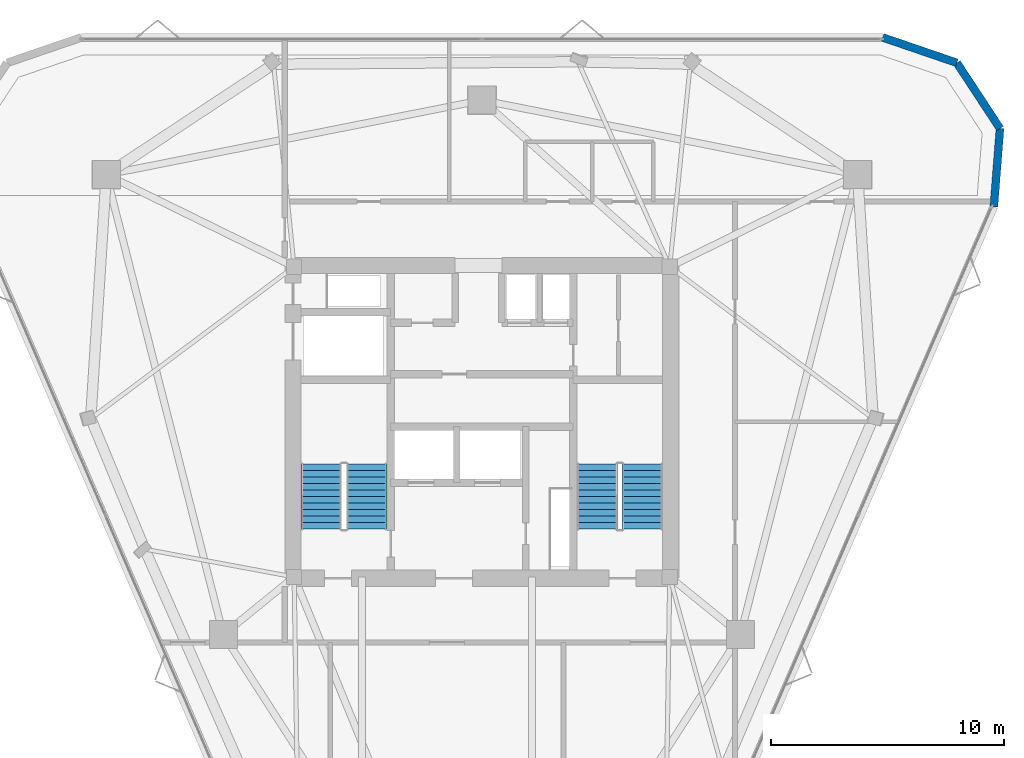
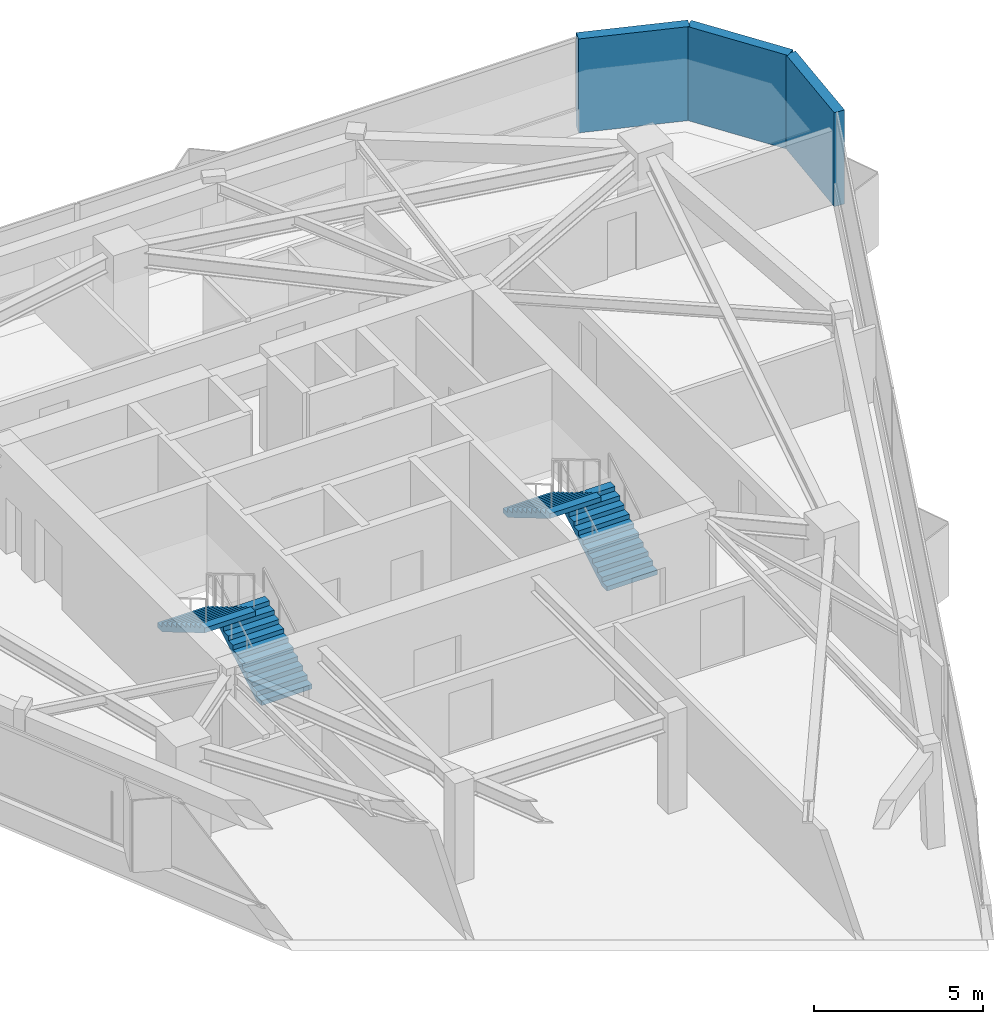
# One storey, part 10 of 12: 4 stair flights, 3 walls, 2 elements without a shape of their own.
"""IFC4 building model written with IfcOpenShell, lengths in metres."""

from ifc_helpers import new_model, si_unit, direction, frame, frame_2d, origin, place, context, subcontext, project, spatial, polyline, rectangle, outline, extrude, material, layer, layer_set, type_object, element, aggregate, save


model = new_model("IFC4")

# Units and contexts
model_context = context("Model", 3, precision=1e-05, world=origin(), true_north=direction((0.0, 1.0)))
body_context = subcontext(model_context, "Body", "Model", "MODEL_VIEW")
ifc_project = project(units=[si_unit("LENGTHUNIT", "METRE"), si_unit("AREAUNIT", "SQUARE_METRE"), si_unit("VOLUMEUNIT", "CUBIC_METRE"), si_unit("PLANEANGLEUNIT", "RADIAN"), si_unit("MASSUNIT", "GRAM", prefix="KILO")], contexts=[model_context])

# Site, building, storey
site_placement = place(None, origin())
site = spatial("IfcSite", under=ifc_project, at=site_placement, CompositionType="ELEMENT")
building_placement = place(site_placement, origin())
building = spatial("IfcBuilding", under=site, at=building_placement, Name="Talyreon Biosciences Tower", CompositionType="ELEMENT")
storey_placement = place(building_placement, frame((0.0, 0.0, 268.10009765625)))
storey = spatial("IfcBuildingStorey", under=building, at=storey_placement, Name="L71", CompositionType="ELEMENT", Elevation=268.10009765625)

# Walls
ifc_material_1 = material(Name="Precast concrete C45/55", Category="concrete")
ifc_layer = layer(ifc_material_1, 0.340087890625)
ifc_layer_set = layer_set([ifc_layer], Name="Precast concrete C45/55")
wall_type = type_object("IfcWallType", Name="PrecastConcreteSpandrelWall_340", PredefinedType="STANDARD", material=ifc_layer_set)
wall_1_placement = place(storey_placement, frame((83.173095703125, 84.484130859375, 0.0), z_axis=(0.0, 0.0, 1.0), x_axis=(0.946108474855, -0.323849893944, 0.0)))
element("IfcWall", 1, at=wall_1_placement, inside=storey, type_object=wall_type, Name="L71 Rounded-Corner Concrete Pier 05", PredefinedType="STANDARD", context=body_context, shape_type="SweptSolid", body=[
    extrude(rectangle(XDim=3.368408203125, YDim=0.340087890625, at=frame_2d((1.68408203125, 0.0))), origin(), (0.0, 0.0, 1.0), 3.39990234375),
])
wall_2_placement = place(storey_placement, frame((86.35986328125, 83.393310546875, 0.0), z_axis=(0.0, 0.0, 1.0), x_axis=(0.549134495039, -0.835733992582, 0.0)))
element("IfcWall", 2, at=wall_2_placement, inside=storey, type_object=wall_type, Name="L71 Rounded-Corner Concrete Pier 06", PredefinedType="STANDARD", context=body_context, shape_type="SweptSolid", body=[
    extrude(rectangle(XDim=3.3681640625, YDim=0.340087890625, at=frame_2d((1.68408203125, 0.0))), origin(), (0.0, 0.0, 1.0), 3.39990234375),
])
wall_3_placement = place(storey_placement, frame((88.20947265625, 80.578369140625, 0.0), z_axis=(0.0, 0.0, 1.0), x_axis=(-0.078203957381, -0.996937380706, 0.0)))
element("IfcWall", 3, at=wall_3_placement, inside=storey, type_object=wall_type, Name="L71 Rounded-Corner Concrete Pier 07", PredefinedType="STANDARD", context=body_context, shape_type="SweptSolid", body=[
    extrude(rectangle(XDim=3.368408203125, YDim=0.340087890625, at=frame_2d((1.68408203125, 0.0))), origin(), (0.0, 0.0, 1.0), 3.39990234375),
])

# Stair, stair flights
ifc_material_2 = material(Name="Concrete C40/50", Category="concrete")
stair_type = type_object("IfcStairType", Name="DoglegEscapeStair_3650", PredefinedType="HALF_TURN_STAIR", material=ifc_material_2)
stair_1_placement = place(storey_placement, origin())
stair_1 = element("IfcStair", 4, at=stair_1_placement, inside=storey, type_object=stair_type, Name="L71 Core Escape Stair 1", PredefinedType="HALF_TURN_STAIR")
stair_flight_type = type_object("IfcStairFlightType", Name="PrecastStairFlight_3650", PredefinedType="STRAIGHT", material=ifc_material_2)
stair_flight_1_placement = place(storey_placement, frame((61.06005859375, 63.39990234375, 0.0), z_axis=(0.0, 0.0, 1.0), x_axis=(0.0, 1.0, 0.0)))
stair_flight_1 = element("IfcStairFlight", 5, at=stair_flight_1_placement, type_object=stair_flight_type, Name="ST-1 flight 1", NumberOfRisers=11, NumberOfTreads=10, PredefinedType="STRAIGHT", RiserHeight=0.165909091, TreadLength=0.28, context=body_context, shape_type="SweptSolid", body=[
    extrude(outline(polyline([(0.0, 0.0), (0.0, 0.166015625), (0.280029296875, 0.166015625), (0.280029296875, 0.331787109375), (0.56005859375, 0.331787109375), (0.56005859375, 0.497802734375), (0.840087890625, 0.497802734375), (0.840087890625, 0.66357421875), (1.1201171875, 0.66357421875), (1.1201171875, 0.82958984375), (1.39990234375, 0.82958984375), (1.39990234375, 0.995361328125), (1.679931640625, 0.995361328125), (1.679931640625, 1.161376953125), (1.9599609375, 1.161376953125), (1.9599609375, 1.327392578125), (2.239990234375, 1.327392578125), (2.239990234375, 1.4931640625), (2.52001953125, 1.4931640625), (2.52001953125, 1.6591796875), (2.800048828125, 1.6591796875), (2.800048828125, 1.824951171875), (2.800048828125, 1.48486328125), (0.2939453125, 0.0), (0.0, 0.0)])), frame((0.0, 0.8701171875, 0.0), z_axis=(0.0, -1.0, 0.0), x_axis=(1.0, 0.0, 0.0)), (0.0, 0.0, 1.0), 1.739990234375),
])
stair_flight_2_placement = place(storey_placement, frame((59.1201171875, 66.199951171875, 1.824951171875), z_axis=(0.0, 0.0, 1.0), x_axis=(0.0, -1.0, 0.0)))
stair_flight_2 = element("IfcStairFlight", 6, at=stair_flight_2_placement, type_object=stair_flight_type, Name="ST-1 flight 2", NumberOfRisers=11, NumberOfTreads=10, PredefinedType="STRAIGHT", RiserHeight=0.165909091, TreadLength=0.28, context=body_context, shape_type="SweptSolid", body=[
    extrude(outline(polyline([(0.0, 0.0), (0.0, 0.166015625), (0.280029296875, 0.166015625), (0.280029296875, 0.331787109375), (0.56005859375, 0.331787109375), (0.56005859375, 0.497802734375), (0.840087890625, 0.497802734375), (0.840087890625, 0.66357421875), (1.1201171875, 0.66357421875), (1.1201171875, 0.82958984375), (1.39990234375, 0.82958984375), (1.39990234375, 0.995361328125), (1.679931640625, 0.995361328125), (1.679931640625, 1.161376953125), (1.9599609375, 1.161376953125), (1.9599609375, 1.327392578125), (2.239990234375, 1.327392578125), (2.239990234375, 1.4931640625), (2.52001953125, 1.4931640625), (2.52001953125, 1.6591796875), (2.800048828125, 1.6591796875), (2.800048828125, 1.824951171875), (2.800048828125, 1.48486328125), (0.2939453125, 0.0), (0.0, 0.0)])), frame((0.0, 0.8701171875, 0.0), z_axis=(0.0, -1.0, 0.0), x_axis=(1.0, 0.0, 0.0)), (0.0, 0.0, 1.0), 1.739990234375),
])
aggregate(stair_1, [stair_flight_1, stair_flight_2])

stair_2_placement = place(storey_placement, origin())
stair_2 = element("IfcStair", 7, at=stair_2_placement, inside=storey, type_object=stair_type, Name="L71 Core Escape Stair 2", PredefinedType="HALF_TURN_STAIR")
stair_flight_3_placement = place(storey_placement, frame((72.8798828125, 63.39990234375, 0.0), z_axis=(0.0, 0.0, 1.0), x_axis=(0.0, 1.0, 0.0)))
stair_flight_3 = element("IfcStairFlight", 8, at=stair_flight_3_placement, type_object=stair_flight_type, Name="ST-2 flight 1", NumberOfRisers=11, NumberOfTreads=10, PredefinedType="STRAIGHT", RiserHeight=0.165909091, TreadLength=0.28, context=body_context, shape_type="SweptSolid", body=[
    extrude(outline(polyline([(0.0, 0.0), (0.0, 0.166015625), (0.280029296875, 0.166015625), (0.280029296875, 0.331787109375), (0.56005859375, 0.331787109375), (0.56005859375, 0.497802734375), (0.840087890625, 0.497802734375), (0.840087890625, 0.66357421875), (1.1201171875, 0.66357421875), (1.1201171875, 0.82958984375), (1.39990234375, 0.82958984375), (1.39990234375, 0.995361328125), (1.679931640625, 0.995361328125), (1.679931640625, 1.161376953125), (1.9599609375, 1.161376953125), (1.9599609375, 1.327392578125), (2.239990234375, 1.327392578125), (2.239990234375, 1.4931640625), (2.52001953125, 1.4931640625), (2.52001953125, 1.6591796875), (2.800048828125, 1.6591796875), (2.800048828125, 1.824951171875), (2.800048828125, 1.48486328125), (0.2939453125, 0.0), (0.0, 0.0)])), frame((0.0, 0.8701171875, 0.0), z_axis=(0.0, -1.0, 0.0), x_axis=(1.0, 0.0, 0.0)), (0.0, 0.0, 1.0), 1.739990234375),
])
stair_flight_4_placement = place(storey_placement, frame((70.93994140625, 66.199951171875, 1.824951171875), z_axis=(0.0, 0.0, 1.0), x_axis=(0.0, -1.0, 0.0)))
stair_flight_4 = element("IfcStairFlight", 9, at=stair_flight_4_placement, type_object=stair_flight_type, Name="ST-2 flight 2", NumberOfRisers=11, NumberOfTreads=10, PredefinedType="STRAIGHT", RiserHeight=0.165909091, TreadLength=0.28, context=body_context, shape_type="SweptSolid", body=[
    extrude(outline(polyline([(0.0, 0.0), (0.0, 0.166015625), (0.280029296875, 0.166015625), (0.280029296875, 0.331787109375), (0.56005859375, 0.331787109375), (0.56005859375, 0.497802734375), (0.840087890625, 0.497802734375), (0.840087890625, 0.66357421875), (1.1201171875, 0.66357421875), (1.1201171875, 0.82958984375), (1.39990234375, 0.82958984375), (1.39990234375, 0.995361328125), (1.679931640625, 0.995361328125), (1.679931640625, 1.161376953125), (1.9599609375, 1.161376953125), (1.9599609375, 1.327392578125), (2.239990234375, 1.327392578125), (2.239990234375, 1.4931640625), (2.52001953125, 1.4931640625), (2.52001953125, 1.6591796875), (2.800048828125, 1.6591796875), (2.800048828125, 1.824951171875), (2.800048828125, 1.48486328125), (0.2939453125, 0.0), (0.0, 0.0)])), frame((0.0, 0.8701171875, 0.0), z_axis=(0.0, -1.0, 0.0), x_axis=(1.0, 0.0, 0.0)), (0.0, 0.0, 1.0), 1.739990234375),
])
aggregate(stair_2, [stair_flight_3, stair_flight_4])

save(model, "model.ifc")
